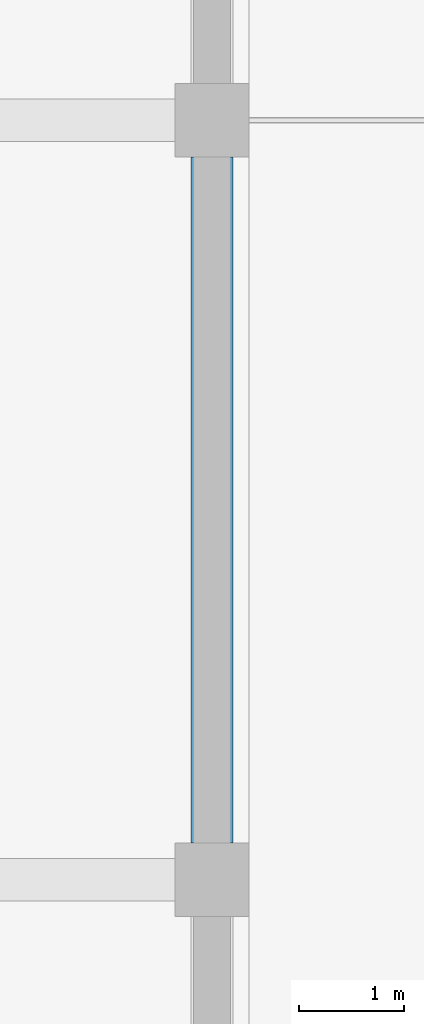
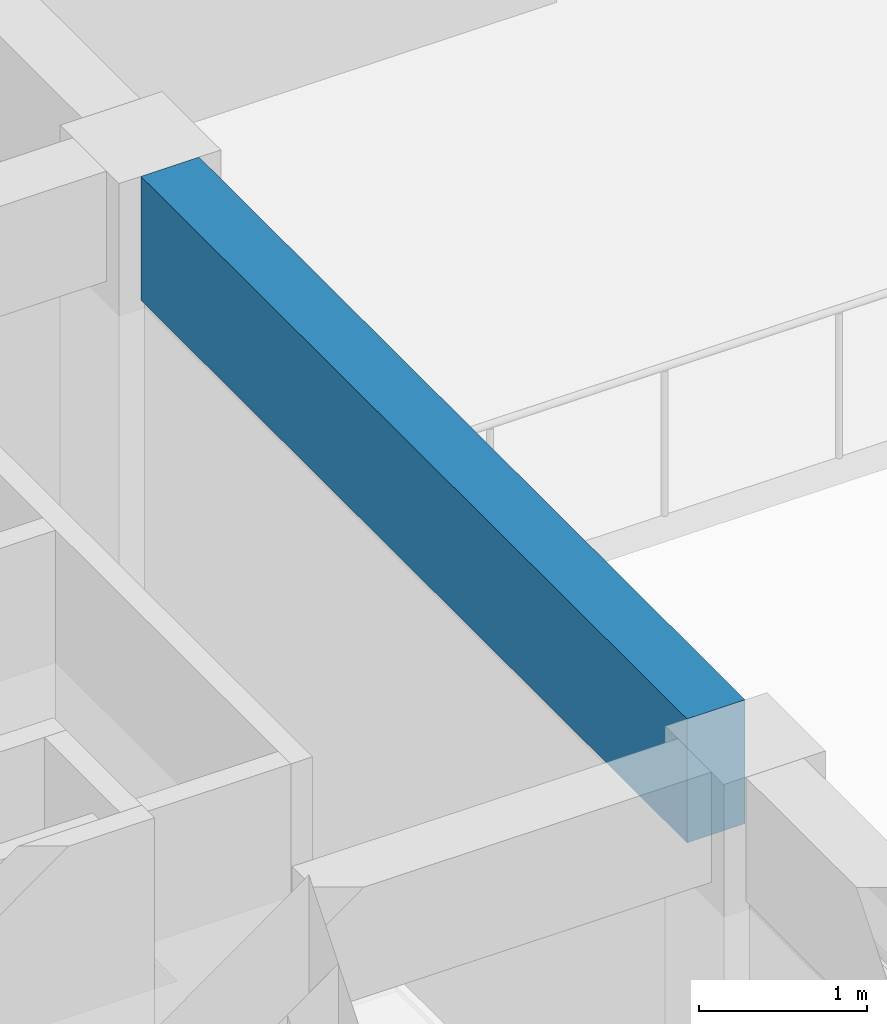
# One storey, part 22 of 92: 1 beam.
"""IFC4 building model written with IfcOpenShell, lengths in metres."""

from ifc_helpers import new_model, si_unit, direction, frame, origin, origin_2d, place, context, subcontext, project, spatial, rectangle, extrude, material, material_profile, profile_set, type_object, element, save


model = new_model("IFC4")

# Units and contexts
model_context = context("Model", 3, precision=1e-05, world=origin(), true_north=direction((0.0, 1.0)))
body_context = subcontext(model_context, "Body", "Model", "MODEL_VIEW")
ifc_project = project(units=[si_unit("LENGTHUNIT", "METRE"), si_unit("AREAUNIT", "SQUARE_METRE"), si_unit("VOLUMEUNIT", "CUBIC_METRE"), si_unit("PLANEANGLEUNIT", "RADIAN"), si_unit("MASSUNIT", "GRAM", prefix="KILO")], contexts=[model_context])

# Site, building, storey
site_placement = place(None, origin())
site = spatial("IfcSite", under=ifc_project, at=site_placement, CompositionType="ELEMENT")
building_placement = place(site_placement, origin())
building = spatial("IfcBuilding", under=site, at=building_placement, Name="Laocheng Heights Fire and Rescue Headquarters", CompositionType="ELEMENT")
storey_placement = place(building_placement, frame((0.0, 0.0, 12.60009765625)))
storey = spatial("IfcBuildingStorey", under=building, at=storey_placement, Name="L03", CompositionType="ELEMENT", Elevation=12.60009765625)

# Beam
ifc_material = material(Name="Concrete C40", Category="concrete")
ifc_material_profile = material_profile(ifc_material, rectangle(XDim=0.39990234375, YDim=0.89990234375, at=origin_2d()), Name="RC BEAM 400x900 FOYER")
ifc_profile_set = profile_set([ifc_material_profile], Name="Concrete C40")
beam_type = type_object("IfcBeamType", Name="RC BEAM 400x900 FOYER", PredefinedType="BEAM", material=ifc_profile_set)
beam_placement = place(storey_placement, frame((12.0, 43.550048828125, 3.5498046875), z_axis=(0.0, 1.0, 0.0), x_axis=(-1.0, 0.0, 0.0)))
element("IfcBeam", 1, at=beam_placement, inside=storey, type_object=beam_type, Name="Foyer beam L03", PredefinedType="BEAM", context=body_context, shape_type="SweptSolid", body=[
    extrude(rectangle(XDim=0.39990234375, YDim=0.89990234375, at=origin_2d()), origin(), (0.0, 0.0, 1.0), 6.5),
])

save(model, "model.ifc")
